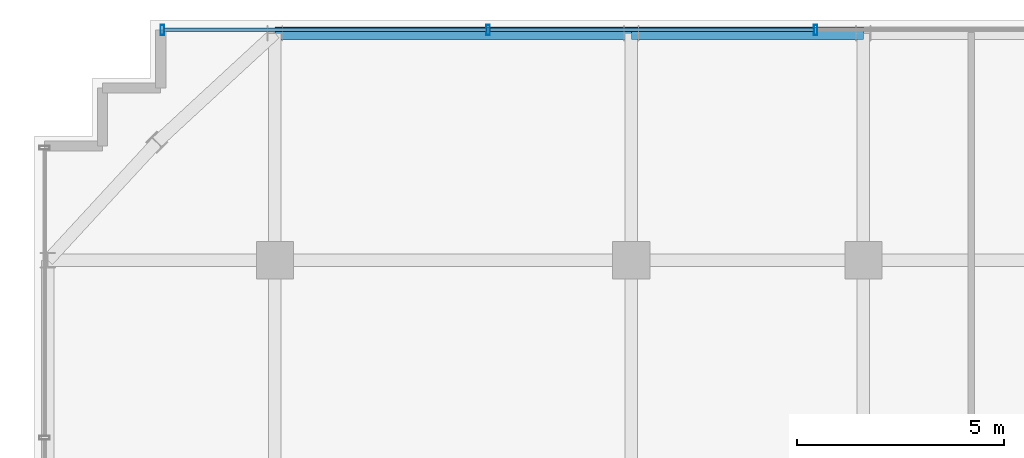
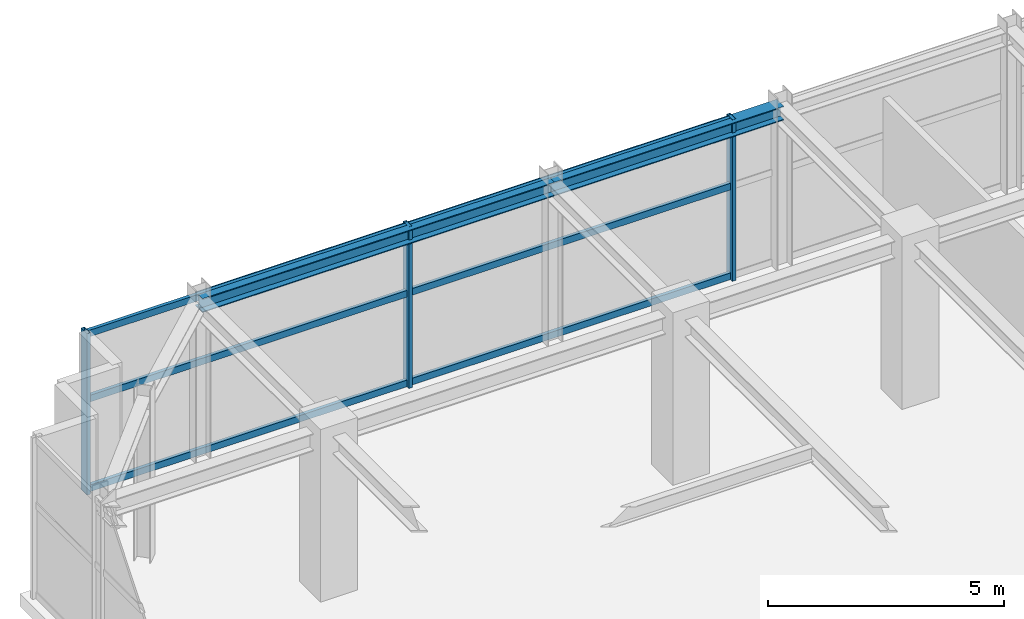
# One storey, part 14 of 25: 9 members, 2 beams, 1 element without a shape of its own.
"""IFC4 building model written with IfcOpenShell, lengths in metres."""

from ifc_helpers import new_model, si_unit, direction, frame, origin, origin_2d, place, context, subcontext, project, spatial, hollow_rectangle, i_section, extrude, source, transform, mapped, material, material_profile, profile_set, type_object, element, aggregate, save


model = new_model("IFC4")

# Units and contexts
model_context = context("Model", 3, precision=1e-05, world=origin(), true_north=direction((0.0, 1.0)))
body_context = subcontext(model_context, "Body", "Model", "MODEL_VIEW")
ifc_project = project(units=[si_unit("LENGTHUNIT", "METRE"), si_unit("AREAUNIT", "SQUARE_METRE"), si_unit("VOLUMEUNIT", "CUBIC_METRE"), si_unit("PLANEANGLEUNIT", "RADIAN"), si_unit("MASSUNIT", "GRAM", prefix="KILO")], contexts=[model_context])

# Site, building, storey
site_placement = place(None, origin())
site = spatial("IfcSite", under=ifc_project, at=site_placement, CompositionType="ELEMENT")
building_placement = place(site_placement, origin())
building = spatial("IfcBuilding", under=site, at=building_placement, Name="Nahalor Promenade Grand Hotel", CompositionType="ELEMENT")
storey_placement = place(building_placement, frame((0.0, 0.0, 338.550048828125)))
storey = spatial("IfcBuildingStorey", under=building, at=storey_placement, Name="L87", CompositionType="ELEMENT", Elevation=338.550048828125)

# Beams
ifc_material_1 = material(Name="Steel S355JR", Category="steel")
ifc_material_profile_1 = material_profile(ifc_material_1, i_section(OverallWidth=0.3, OverallDepth=0.36, WebThickness=0.0125, FlangeThickness=0.0225, at=origin_2d()), Name="HEB 360")
ifc_profile_set_1 = profile_set([ifc_material_profile_1], Name="Steel S355JR")
beam_type = type_object("IfcBeamType", Name="Beam-Spandrel-HEB360", PredefinedType="SPANDREL", material=ifc_profile_set_1)
shared_shape_1 = source(origin(), body_context, "Body", "SweptSolid", [
    extrude(i_section(OverallWidth=0.3, OverallDepth=0.36, WebThickness=0.0125, FlangeThickness=0.0225, at=origin_2d()), origin(), (0.0, 0.0, 1.0), 8.60009765625),
])
beam_1_placement = place(storey_placement, frame((-17.0, 22.47998046875, 3.989990234375), z_axis=(1.0, 0.0, 0.0), x_axis=(0.0, 1.0, 0.0)))
element("IfcBeam", 1, at=beam_1_placement, inside=storey, type_object=beam_type, Name="BM-L87-SP-N-0", PredefinedType="SPANDREL", context=body_context, shape_type="MappedRepresentation", body=[
    mapped(shared_shape_1, transform((0.0, 0.0, 0.0), scale=1.0)),
])
shared_shape_2 = source(origin(), body_context, "Body", "SweptSolid", [
    extrude(i_section(OverallWidth=0.3, OverallDepth=0.36, WebThickness=0.0125, FlangeThickness=0.0225, at=origin_2d()), origin(), (0.0, 0.0, 1.0), 5.599853515625),
])
beam_2_placement = place(storey_placement, frame((-8.39990234375, 22.47998046875, 3.989990234375), z_axis=(1.0, 0.0, 0.0), x_axis=(0.0, 1.0, 0.0)))
element("IfcBeam", 2, at=beam_2_placement, inside=storey, type_object=beam_type, Name="BM-L87-SP-N-1", PredefinedType="SPANDREL", context=body_context, shape_type="MappedRepresentation", body=[
    mapped(shared_shape_2, transform((0.0, 0.0, 0.0), scale=1.0)),
])

# Curtain wall, members
ifc_material_2 = material(Name="Anodised Bronze Aluminium EN AW-6063 T6", Category="aluminium")
curtain_wall_type = type_object("IfcCurtainWallType", Name="CW5 Sky-Lobby & Observation Panoramic Curtain Wall", PredefinedType="USERDEFINED", material=ifc_material_2)
curtain_wall_placement = place(storey_placement, origin())
curtain_wall = element("IfcCurtainWall", 3, at=curtain_wall_placement, inside=storey, type_object=curtain_wall_type, Name="L87 Curtain Wall CW-L87-N-1", ObjectType="UNITISED_CURTAIN_WALL", PredefinedType="USERDEFINED")
ifc_material_profile_2 = material_profile(ifc_material_2, hollow_rectangle(XDim=0.085, YDim=0.25, WallThickness=0.006, at=origin_2d()), Name="CWM 85x250x6")
ifc_profile_set_2 = profile_set([ifc_material_profile_2], Name="Anodised Bronze Aluminium EN AW-6063 T6")
member_type_1 = type_object("IfcMemberType", Name="CWM5 Panoramic Deep Mullion 85x250", PredefinedType="MULLION", material=ifc_profile_set_2)
shared_shape_3 = source(origin(), body_context, "Body", "SweptSolid", [
    extrude(hollow_rectangle(XDim=0.085, YDim=0.25, WallThickness=0.006, at=origin_2d()), origin(), (0.0, 0.0, 1.0), 4.169921875),
])
member_1_placement = place(storey_placement, frame((-19.717529296875, 22.56005859375, 0.0), z_axis=(0.0, 0.0, 1.0), x_axis=(1.0, 0.0, 0.0)))
member_1 = element("IfcMember", 4, at=member_1_placement, type_object=member_type_1, Name="CW-L87-N-1 Mullion 0", PredefinedType="MULLION", context=body_context, shape_type="MappedRepresentation", body=[
    mapped(shared_shape_3, transform((0.0, 0.0, 0.0), scale=1.0)),
])
member_2_placement = place(storey_placement, frame((-11.85595703125, 22.56005859375, 0.0), z_axis=(0.0, 0.0, 1.0), x_axis=(1.0, 0.0, 0.0)))
member_2 = element("IfcMember", 5, at=member_2_placement, type_object=member_type_1, Name="CW-L87-N-1 Mullion 1", PredefinedType="MULLION", context=body_context, shape_type="MappedRepresentation", body=[
    mapped(shared_shape_3, transform((0.0, 0.0, 0.0), scale=1.0)),
])
member_3_placement = place(storey_placement, frame((-3.951904296875, 22.56005859375, 0.0), z_axis=(0.0, 0.0, 1.0), x_axis=(1.0, 0.0, 0.0)))
member_3 = element("IfcMember", 6, at=member_3_placement, type_object=member_type_1, Name="CW-L87-N-1 Mullion 2", PredefinedType="MULLION", context=body_context, shape_type="MappedRepresentation", body=[
    mapped(shared_shape_3, transform((0.0, 0.0, 0.0), scale=1.0)),
])
ifc_material_profile_3 = material_profile(ifc_material_2, hollow_rectangle(XDim=0.085, YDim=0.17, WallThickness=0.005, at=origin_2d()), Name="CWT 85x170x5")
ifc_profile_set_3 = profile_set([ifc_material_profile_3], Name="Anodised Bronze Aluminium EN AW-6063 T6")
member_type_2 = type_object("IfcMemberType", Name="CWT5 Panoramic Transom 85x170", PredefinedType="USERDEFINED", material=ifc_profile_set_3)
shared_shape_4 = source(origin(), body_context, "Body", "SweptSolid", [
    extrude(hollow_rectangle(XDim=0.085, YDim=0.17, WallThickness=0.005, at=origin_2d()), origin(), (0.0, 0.0, 1.0), 7.776611328125),
])
member_4_placement = place(storey_placement, frame((-19.675048828125, 22.56005859375, 0.0849609375), z_axis=(1.0, 0.0, 0.0), x_axis=(0.0, 1.0, 0.0)))
member_4 = element("IfcMember", 7, at=member_4_placement, type_object=member_type_2, Name="CW-L87-N-1 Transom 0-0", ObjectType="TRANSOM", PredefinedType="USERDEFINED", context=body_context, shape_type="MappedRepresentation", body=[
    mapped(shared_shape_4, transform((0.0, 0.0, 0.0), scale=1.0)),
])
member_5_placement = place(storey_placement, frame((-19.675048828125, 22.56005859375, 2.39990234375), z_axis=(1.0, 0.0, 0.0), x_axis=(0.0, 1.0, 0.0)))
member_5 = element("IfcMember", 8, at=member_5_placement, type_object=member_type_2, Name="CW-L87-N-1 Transom 0-1", ObjectType="TRANSOM", PredefinedType="USERDEFINED", context=body_context, shape_type="MappedRepresentation", body=[
    mapped(shared_shape_4, transform((0.0, 0.0, 0.0), scale=1.0)),
])
member_6_placement = place(storey_placement, frame((-19.675048828125, 22.56005859375, 4.0849609375), z_axis=(1.0, 0.0, 0.0), x_axis=(0.0, 1.0, 0.0)))
member_6 = element("IfcMember", 9, at=member_6_placement, type_object=member_type_2, Name="CW-L87-N-1 Transom 0-2", ObjectType="TRANSOM", PredefinedType="USERDEFINED", context=body_context, shape_type="MappedRepresentation", body=[
    mapped(shared_shape_4, transform((0.0, 0.0, 0.0), scale=1.0)),
])
shared_shape_5 = source(origin(), body_context, "Body", "SweptSolid", [
    extrude(hollow_rectangle(XDim=0.085, YDim=0.17, WallThickness=0.005, at=origin_2d()), origin(), (0.0, 0.0, 1.0), 7.819091796875),
])
member_7_placement = place(storey_placement, frame((-11.8134765625, 22.56005859375, 0.0849609375), z_axis=(1.0, 0.0, 0.0), x_axis=(0.0, 1.0, 0.0)))
member_7 = element("IfcMember", 10, at=member_7_placement, type_object=member_type_2, Name="CW-L87-N-1 Transom 1-0", ObjectType="TRANSOM", PredefinedType="USERDEFINED", context=body_context, shape_type="MappedRepresentation", body=[
    mapped(shared_shape_5, transform((0.0, 0.0, 0.0), scale=1.0)),
])
member_8_placement = place(storey_placement, frame((-11.8134765625, 22.56005859375, 2.39990234375), z_axis=(1.0, 0.0, 0.0), x_axis=(0.0, 1.0, 0.0)))
member_8 = element("IfcMember", 11, at=member_8_placement, type_object=member_type_2, Name="CW-L87-N-1 Transom 1-1", ObjectType="TRANSOM", PredefinedType="USERDEFINED", context=body_context, shape_type="MappedRepresentation", body=[
    mapped(shared_shape_5, transform((0.0, 0.0, 0.0), scale=1.0)),
])
member_9_placement = place(storey_placement, frame((-11.8134765625, 22.56005859375, 4.0849609375), z_axis=(1.0, 0.0, 0.0), x_axis=(0.0, 1.0, 0.0)))
member_9 = element("IfcMember", 12, at=member_9_placement, type_object=member_type_2, Name="CW-L87-N-1 Transom 1-2", ObjectType="TRANSOM", PredefinedType="USERDEFINED", context=body_context, shape_type="MappedRepresentation", body=[
    mapped(shared_shape_5, transform((0.0, 0.0, 0.0), scale=1.0)),
])
aggregate(curtain_wall, [member_1, member_2, member_3, member_4, member_5, member_6, member_7, member_8, member_9])

save(model, "model.ifc")
